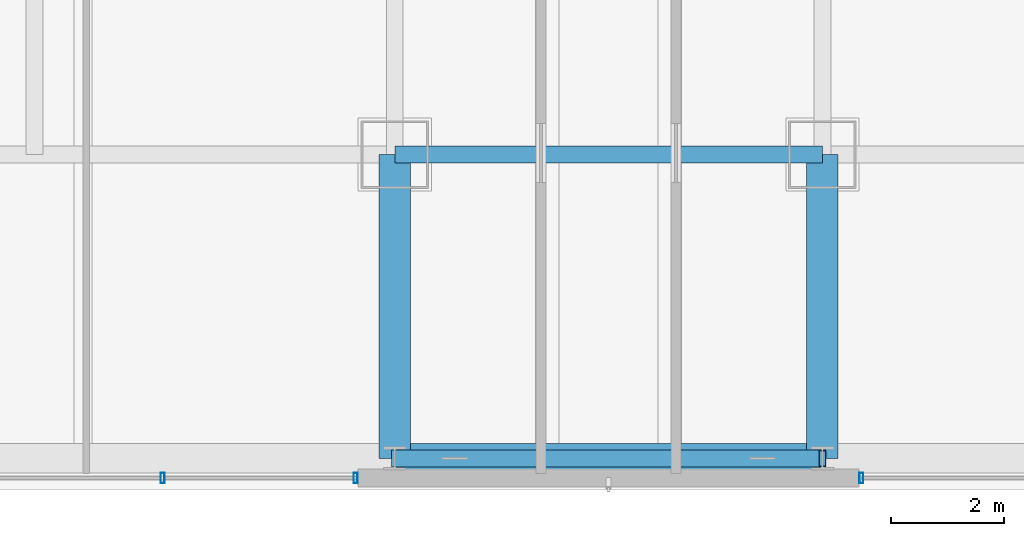
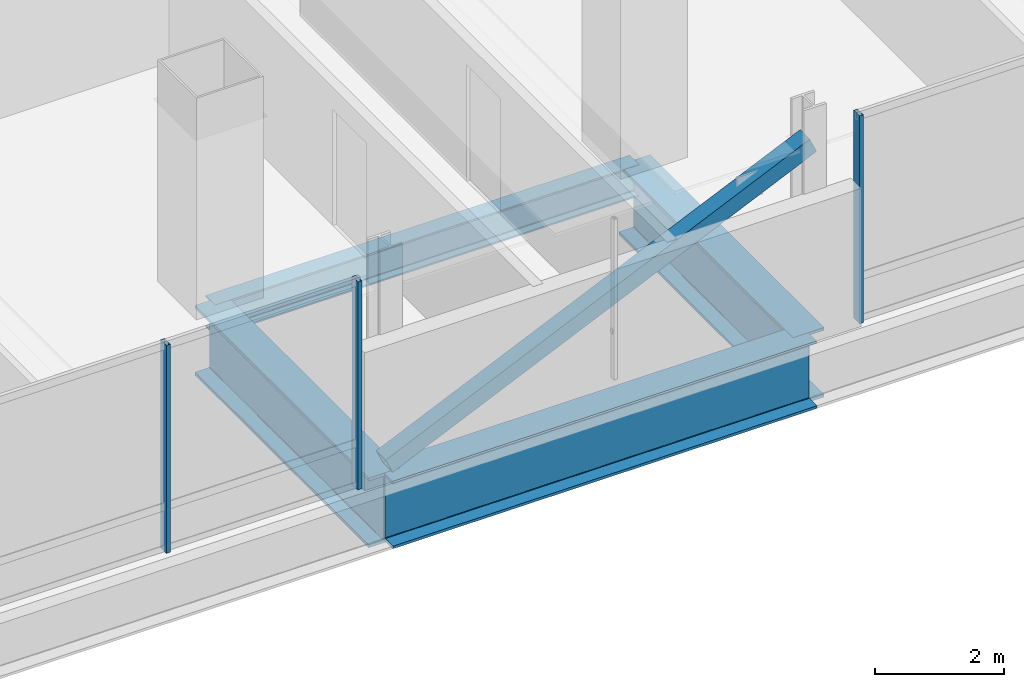
# One storey, part 8 of 46: 4 beams, 4 members, 2 elements without a shape of their own.
"""IFC4 building model written with IfcOpenShell, lengths in metres."""

from ifc_helpers import new_model, si_unit, direction, frame, origin, origin_2d, place, context, subcontext, project, spatial, hollow_rectangle, i_section, extrude, material, material_profile, profile_set, type_object, element, aggregate, save


model = new_model("IFC4")

# Units and contexts
model_context = context("Model", 3, precision=1e-05, world=origin(), true_north=direction((0.0, 1.0)))
body_context = subcontext(model_context, "Body", "Model", "MODEL_VIEW")
ifc_project = project(units=[si_unit("LENGTHUNIT", "METRE"), si_unit("AREAUNIT", "SQUARE_METRE"), si_unit("VOLUMEUNIT", "CUBIC_METRE"), si_unit("PLANEANGLEUNIT", "RADIAN"), si_unit("MASSUNIT", "GRAM", prefix="KILO")], contexts=[model_context])

# Site, building, storey
site_placement = place(None, origin())
site = spatial("IfcSite", under=ifc_project, at=site_placement, CompositionType="ELEMENT")
building_placement = place(site_placement, origin())
building = spatial("IfcBuilding", under=site, at=building_placement, Name="Punatoya Terracotta Tower", CompositionType="ELEMENT")
storey_placement = place(building_placement, frame((0.0, 0.0, 330.0)))
storey = spatial("IfcBuildingStorey", under=building, at=storey_placement, Name="L78", CompositionType="ELEMENT", Elevation=330.0)

# Beams
ifc_material_1 = material(Name="Steel S355", Category="steel")
ifc_material_profile_1 = material_profile(ifc_material_1, i_section(OverallWidth=0.300048828125, OverallDepth=0.60009765625, WebThickness=0.015380859375, FlangeThickness=0.030029296875, FilletRadius=0.01806640625, at=origin_2d()))
ifc_profile_set_1 = profile_set([ifc_material_profile_1], Name="Steel S355")
beam_type_1 = type_object("IfcBeamType", Name="BM-PRI-600", PredefinedType="BEAM", material=ifc_profile_set_1)
beam_1_placement = place(storey_placement, frame((-3.800048828125, -17.5, -0.5), z_axis=(1.0, 0.0, 0.0), x_axis=(0.0, 1.0, 0.0)))
element("IfcBeam", 1, at=beam_1_placement, inside=storey, type_object=beam_type_1, Name="BM-L78-RG-S2", PredefinedType="BEAM", context=body_context, shape_type="SweptSolid", body=[
    extrude(i_section(OverallWidth=0.300048828125, OverallDepth=0.60009765625, WebThickness=0.015380859375, FlangeThickness=0.030029296875, FilletRadius=0.01806640625, at=origin_2d()), origin(), (0.0, 0.0, 1.0), 7.60009765625),
])
ifc_material_2 = material(Name="Steel S460", Category="steel")
ifc_material_profile_2 = material_profile(ifc_material_2, i_section(OverallWidth=0.56005859375, OverallDepth=1.320068359375, WebThickness=0.035888671875, FlangeThickness=0.054931640625, FilletRadius=0.01806640625, at=origin_2d()))
ifc_profile_set_2 = profile_set([ifc_material_profile_2], Name="Steel S460")
beam_type_2 = type_object("IfcBeamType", Name="BM-TG-BLK", PredefinedType="BEAM", material=ifc_profile_set_2)
for number, where, z_axis, x_axis, name in (
    (2, (-3.800048828125, -22.89990234375, -0.860107421875), (0.0, 1.0, 0.0), (-1.0, 0.0, 0.0), "BM-L78-CANT-S2"),
    (3, (3.800048828125, -22.89990234375, -0.860107421875), (0.0, 1.0, 0.0), (-1.0, 0.0, 0.0), "BM-L78-CANT-S3"),
):
    element("IfcBeam", number, at=place(storey_placement, frame(where, z_axis=z_axis, x_axis=x_axis)), inside=storey, type_object=beam_type_2, Name=name, PredefinedType="BEAM", context=body_context, shape_type="SweptSolid", body=[
        extrude(i_section(OverallWidth=0.56005859375, OverallDepth=1.320068359375, WebThickness=0.035888671875, FlangeThickness=0.054931640625, FilletRadius=0.01806640625, at=origin_2d()), origin(), (0.0, 0.0, 1.0), 5.39990234375),
    ])
ifc_material_profile_3 = material_profile(ifc_material_2, i_section(OverallWidth=0.52001953125, OverallDepth=1.280029296875, WebThickness=0.031982421875, FlangeThickness=0.050048828125, FilletRadius=0.01806640625, at=origin_2d()))
ifc_profile_set_3 = profile_set([ifc_material_profile_3], Name="Steel S460")
beam_type_3 = type_object("IfcBeamType", Name="BM-TG-NCK", PredefinedType="BEAM", material=ifc_profile_set_3)
beam_2_placement = place(storey_placement, frame((-3.800048828125, -22.89990234375, -0.840087890625), z_axis=(1.0, 0.0, 0.0), x_axis=(0.0, 1.0, 0.0)))
element("IfcBeam", 4, at=beam_2_placement, inside=storey, type_object=beam_type_3, Name="BM-L78-PER-S2", PredefinedType="BEAM", context=body_context, shape_type="SweptSolid", body=[
    extrude(i_section(OverallWidth=0.52001953125, OverallDepth=1.280029296875, WebThickness=0.031982421875, FlangeThickness=0.050048828125, FilletRadius=0.01806640625, at=origin_2d()), origin(), (0.0, 0.0, 1.0), 7.60009765625),
])

# Curtain wall, members
ifc_material_3 = material(Name="Aluminium 6063-T6 + Double Low-E Glass", Category="aluminium")
curtain_wall_type = type_object("IfcCurtainWallType", Name="CW-OBS", PredefinedType="NOTDEFINED", material=ifc_material_3)
curtain_wall_1_placement = place(storey_placement, origin())
curtain_wall_1 = element("IfcCurtainWall", 5, at=curtain_wall_1_placement, inside=storey, type_object=curtain_wall_type, Name="L78 Curtain Wall CW-L78-S01-1", PredefinedType="NOTDEFINED")
ifc_material_4 = material(Name="Aluminium 6063-T6", Category="aluminium")
ifc_material_profile_4 = material_profile(ifc_material_4, hollow_rectangle(XDim=0.070068359375, YDim=0.179931640625, WallThickness=0.00390625, at=origin_2d()))
ifc_profile_set_4 = profile_set([ifc_material_profile_4], Name="Aluminium 6063-T6")
member_type_1 = type_object("IfcMemberType", Name="CW-MUL-M3", PredefinedType="MULLION", material=ifc_profile_set_4)
member_1_placement = place(storey_placement, frame((-7.927490234375, -23.25, 0.0), z_axis=(0.0, 0.0, 1.0), x_axis=(1.0, 0.0, 0.0)))
member_1 = element("IfcMember", 6, at=member_1_placement, type_object=member_type_1, Name="CW-L78-S01-1 Mullion 04", PredefinedType="MULLION", context=body_context, shape_type="SweptSolid", body=[
    extrude(hollow_rectangle(XDim=0.070068359375, YDim=0.179931640625, WallThickness=0.00390625, at=origin_2d()), origin(), (0.0, 0.0, 1.0), 3.93994140625),
])
member_2_placement = place(storey_placement, frame((-4.4951171875, -23.25, 0.0), z_axis=(0.0, 0.0, 1.0), x_axis=(1.0, 0.0, 0.0)))
member_2 = element("IfcMember", 7, at=member_2_placement, type_object=member_type_1, Name="CW-L78-S01-1 Mullion 05", PredefinedType="MULLION", context=body_context, shape_type="SweptSolid", body=[
    extrude(hollow_rectangle(XDim=0.070068359375, YDim=0.179931640625, WallThickness=0.00390625, at=origin_2d()), origin(), (0.0, 0.0, 1.0), 3.93994140625),
])
aggregate(curtain_wall_1, [member_1, member_2])

# Curtain wall, member
curtain_wall_2_placement = place(storey_placement, origin())
curtain_wall_2 = element("IfcCurtainWall", 8, at=curtain_wall_2_placement, inside=storey, type_object=curtain_wall_type, Name="L78 Curtain Wall CW-L78-S01-2", PredefinedType="NOTDEFINED")
member_3_placement = place(storey_placement, frame((4.4951171875, -23.25, 0.0), z_axis=(0.0, 0.0, 1.0), x_axis=(1.0, 0.0, 0.0)))
member_3 = element("IfcMember", 9, at=member_3_placement, type_object=member_type_1, Name="CW-L78-S01-2 Mullion 00", PredefinedType="MULLION", context=body_context, shape_type="SweptSolid", body=[
    extrude(hollow_rectangle(XDim=0.070068359375, YDim=0.179931640625, WallThickness=0.00390625, at=origin_2d()), origin(), (0.0, 0.0, 1.0), 3.93994140625),
])
aggregate(curtain_wall_2, [member_3])

# Member
ifc_material_profile_5 = material_profile(ifc_material_1, hollow_rectangle(XDim=0.300048828125, YDim=0.300048828125, WallThickness=0.01611328125, at=origin_2d()))
ifc_profile_set_5 = profile_set([ifc_material_profile_5], Name="Steel S355")
member_type_2 = type_object("IfcMemberType", Name="MEM-WND-300", PredefinedType="BRACE", material=ifc_profile_set_5)
member_4_placement = place(storey_placement, frame((-3.800048828125, -22.89990234375, 0.02001953125), z_axis=(0.911926986328, 0.0, 0.410352496771), x_axis=(0.0, 1.0, 0.0)))
element("IfcMember", 10, at=member_4_placement, inside=storey, type_object=member_type_2, Name="L78 Perimeter Wind Brace S2", PredefinedType="BRACE", context=body_context, shape_type="SweptSolid", body=[
    extrude(hollow_rectangle(XDim=0.300048828125, YDim=0.300048828125, WallThickness=0.01611328125, at=origin_2d()), origin(), (0.0, 0.0, 1.0), 8.334228515625),
])

save(model, "model.ifc")
